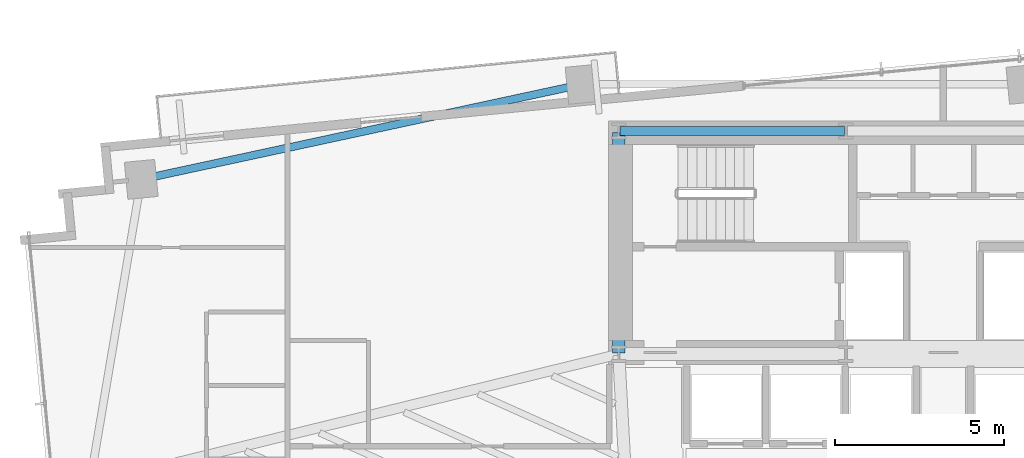
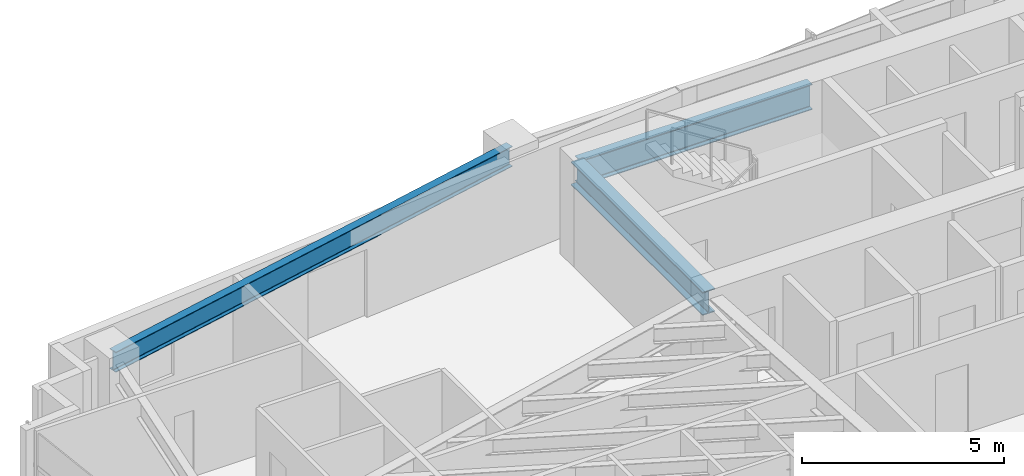
# One storey, part 9 of 27: 3 beams.
"""IFC4 building model written with IfcOpenShell, lengths in metres."""

from ifc_helpers import new_model, si_unit, direction, frame, origin, origin_2d, place, context, subcontext, project, spatial, i_section, extrude, source, transform, mapped, material, material_profile, profile_set, type_object, type_shapes, element, save


model = new_model("IFC4")

# Units and contexts
model_context = context("Model", 3, precision=1e-05, world=origin(), true_north=direction((0.0, 1.0)))
body_context = subcontext(model_context, "Body", "Model", "MODEL_VIEW")
ifc_project = project(units=[si_unit("LENGTHUNIT", "METRE"), si_unit("AREAUNIT", "SQUARE_METRE"), si_unit("VOLUMEUNIT", "CUBIC_METRE"), si_unit("PLANEANGLEUNIT", "RADIAN"), si_unit("MASSUNIT", "GRAM", prefix="KILO")], contexts=[model_context])

# Site, building, storey
site_placement = place(None, origin())
site = spatial("IfcSite", under=ifc_project, at=site_placement, CompositionType="ELEMENT")
building_placement = place(site_placement, origin())
building = spatial("IfcBuilding", under=site, at=building_placement, Name="Astriad Promenade Condominiums", CompositionType="ELEMENT")
storey_placement = place(building_placement, frame((0.0, 0.0, 97.0)))
storey = spatial("IfcBuildingStorey", under=building, at=storey_placement, Name="L27", CompositionType="ELEMENT", Elevation=97.0)

# Beams
ifc_material = material(Name="Steel ASTM A992 Grade 50", Category="steel")
ifc_material_profile_1 = material_profile(ifc_material, i_section(OverallWidth=0.267822265625, OverallDepth=0.76953125, WebThickness=0.015625, FlangeThickness=0.025390625, FilletRadius=0.021484375, at=origin_2d()), Name="W30X132")
ifc_profile_set_1 = profile_set([ifc_material_profile_1], Name="Steel ASTM A992 Grade 50")
beam_type_1 = type_object("IfcBeamType", Name="STEEL FLOOR GIRDER W30X132", PredefinedType="BEAM", material=ifc_profile_set_1)
shared_shape_1 = source(origin(), body_context, "Body", "SweptSolid", [
    extrude(i_section(OverallWidth=0.267822265625, OverallDepth=0.76953125, WebThickness=0.015625, FlangeThickness=0.025390625, FilletRadius=0.021484375, at=origin_2d()), origin(), (0.0, 0.0, 1.0), 6.64013671875),
])
type_shapes(beam_type_1, [shared_shape_1])
beam_1_placement = place(storey_placement, frame((26.43994140625, 24.0, 2.55517578125), z_axis=(1.0, 0.0, 0.0), x_axis=(0.0, 1.0, 0.0)))
element("IfcBeam", 1, at=beam_1_placement, inside=storey, type_object=beam_type_1, Name="Core Ring Beam CG-N1-L27", PredefinedType="BEAM", context=body_context, shape_type="MappedRepresentation", body=[
    mapped(shared_shape_1, transform((0.0, 0.0, 0.0), scale=1.0)),
])
ifc_material_profile_2 = material_profile(ifc_material, i_section(OverallWidth=0.35791015625, OverallDepth=0.706298828125, WebThickness=0.018310546875, FlangeThickness=0.0302734375, FilletRadius=0.020263671875, at=origin_2d()), Name="W27X178")
ifc_profile_set_2 = profile_set([ifc_material_profile_2], Name="Steel ASTM A992 Grade 50")
beam_type_2 = type_object("IfcBeamType", Name="STEEL FLOOR GIRDER W27X178", PredefinedType="BEAM", material=ifc_profile_set_2)
shared_shape_2 = source(origin(), body_context, "Body", "SweptSolid", [
    extrude(i_section(OverallWidth=0.35791015625, OverallDepth=0.706298828125, WebThickness=0.018310546875, FlangeThickness=0.0302734375, FilletRadius=0.020263671875, at=origin_2d()), origin(), (0.0, 0.0, 1.0), 6.52001953125),
])
type_shapes(beam_type_2, [shared_shape_2])
beam_2_placement = place(storey_placement, frame((26.39990234375, 17.43994140625, 2.5869140625), z_axis=(0.0, 1.0, 0.0), x_axis=(-1.0, 0.0, 0.0)))
element("IfcBeam", 2, at=beam_2_placement, inside=storey, type_object=beam_type_2, Name="Core Ring Beam CG-W1-L27", PredefinedType="BEAM", context=body_context, shape_type="MappedRepresentation", body=[
    mapped(shared_shape_2, transform((0.0, 0.0, 0.0), scale=1.0)),
])
ifc_material_profile_3 = material_profile(ifc_material, i_section(OverallWidth=0.22900390625, OverallDepth=0.612060546875, WebThickness=0.011962890625, FlangeThickness=0.01953125, FilletRadius=0.017822265625, at=origin_2d()), Name="W24X84")
ifc_profile_set_3 = profile_set([ifc_material_profile_3], Name="Steel ASTM A992 Grade 50")
beam_type_3 = type_object("IfcBeamType", Name="STEEL SPANDREL BEAM W24X84", PredefinedType="SPANDREL", material=ifc_profile_set_3)
shared_shape_3 = source(origin(), body_context, "Body", "SweptSolid", [
    extrude(i_section(OverallWidth=0.22900390625, OverallDepth=0.612060546875, WebThickness=0.011962890625, FlangeThickness=0.01953125, FilletRadius=0.017822265625, at=origin_2d()), origin(), (0.0, 0.0, 1.0), 13.25927734375),
])
type_shapes(beam_type_3, [shared_shape_3])
beam_3_placement = place(storey_placement, frame((25.27587890625, 25.37158203125, 2.6337890625), z_axis=(-0.977531608864, -0.210788884127, 0.0), x_axis=(0.210788884127, -0.977531608864, 0.0)))
element("IfcBeam", 3, at=beam_3_placement, inside=storey, type_object=beam_type_3, Name="Perimeter Spandrel Beam SP-N1-L27", PredefinedType="SPANDREL", context=body_context, shape_type="MappedRepresentation", body=[
    mapped(shared_shape_3, transform((0.0, 0.0, 0.0), scale=1.0)),
])

save(model, "model.ifc")
